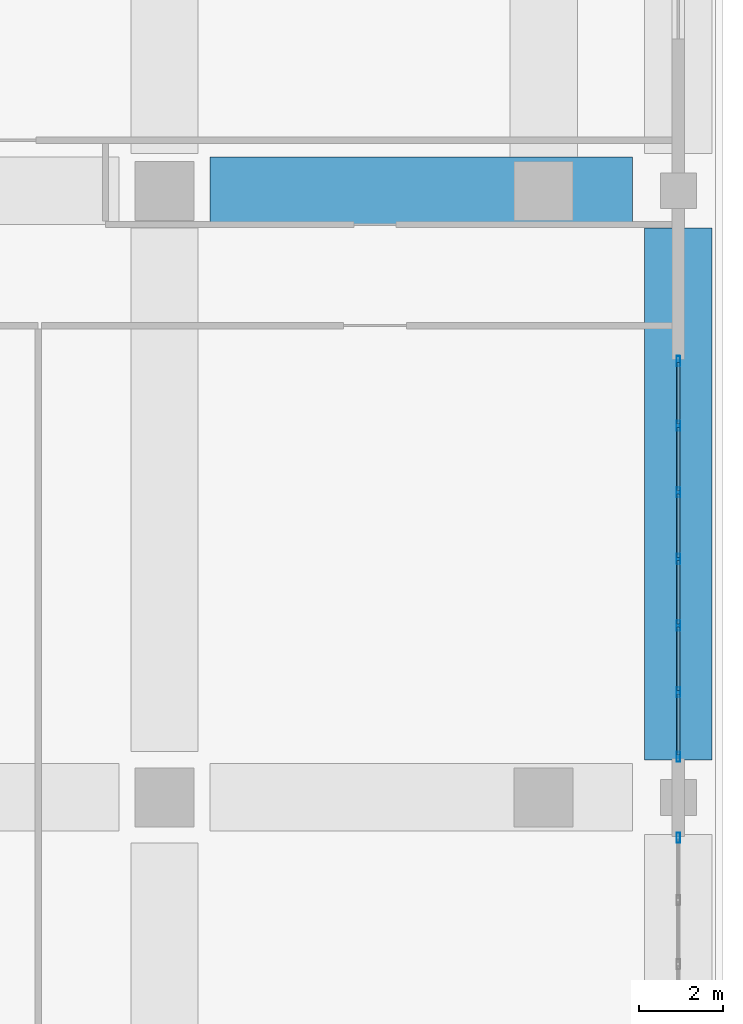
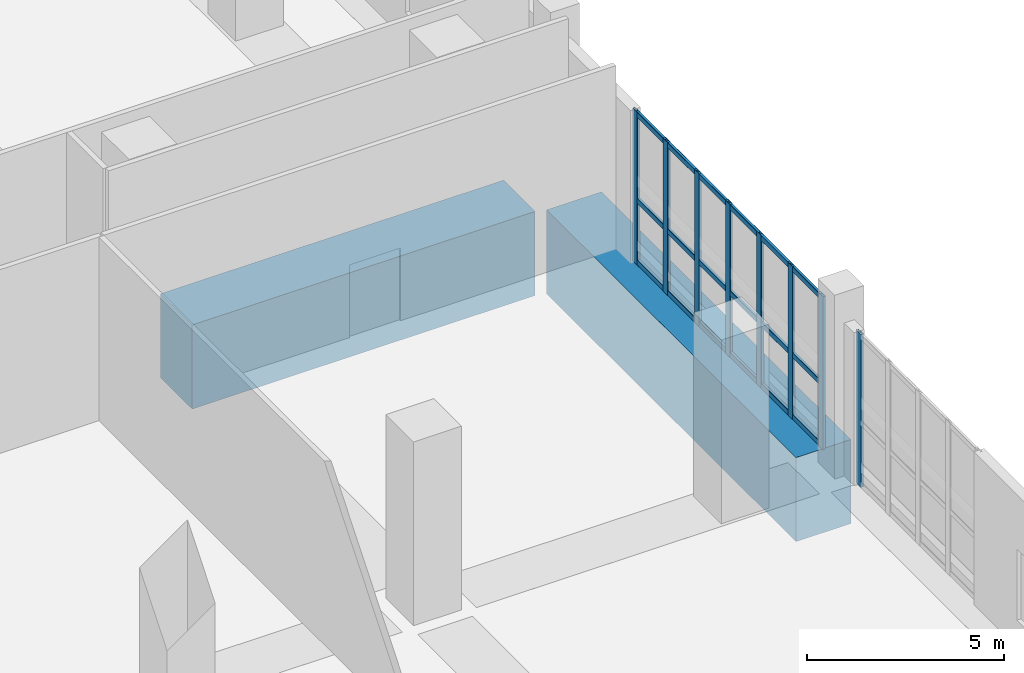
# One storey, part 14 of 25: 26 members, 2 beams, 2 elements without a shape of their own.
"""IFC4 building model written with IfcOpenShell, lengths in metres."""

from ifc_helpers import new_model, si_unit, direction, frame, origin, origin_2d, place, context, subcontext, project, spatial, rectangle, hollow_rectangle, extrude, material, layer, layer_set, material_profile, profile_set, type_object, element, aggregate, save


model = new_model("IFC4")

# Units and contexts
model_context = context("Model", 3, precision=1e-05, world=origin(), true_north=direction((0.0, 1.0)))
body_context = subcontext(model_context, "Body", "Model", "MODEL_VIEW")
ifc_project = project(units=[si_unit("LENGTHUNIT", "METRE"), si_unit("AREAUNIT", "SQUARE_METRE"), si_unit("VOLUMEUNIT", "CUBIC_METRE"), si_unit("PLANEANGLEUNIT", "RADIAN"), si_unit("MASSUNIT", "GRAM", prefix="KILO")], contexts=[model_context])

# Site, building, storey
site_placement = place(None, origin())
site = spatial("IfcSite", under=ifc_project, at=site_placement, CompositionType="ELEMENT")
building_placement = place(site_placement, origin())
building = spatial("IfcBuilding", under=site, at=building_placement, Name="Kaelvorn Grand Hotel", CompositionType="ELEMENT")
storey_placement = place(building_placement, frame((0.0, 0.0, 8.0)))
storey = spatial("IfcBuildingStorey", under=building, at=storey_placement, Name="L01", CompositionType="ELEMENT", Elevation=8.0)

# Beams
ifc_material_1 = material(Name="Concrete C80/95", Category="concrete")
ifc_material_profile_1 = material_profile(ifc_material_1, rectangle(XDim=1.60009765625, YDim=2.60009765625, at=origin_2d()), Name="RC TG 1600x2600")
ifc_profile_set_1 = profile_set([ifc_material_profile_1], Name="Concrete C80/95")
beam_type = type_object("IfcBeamType", Name="BM-TG-1600x2600-C80", PredefinedType="USERDEFINED", material=ifc_profile_set_1)
beam_1_placement = place(storey_placement, frame((76.0849609375, 29.39990234375, -1.300048828125), z_axis=(1.0, 0.0, 0.0), x_axis=(0.0, 1.0, 0.0)))
element("IfcBeam", 1, at=beam_1_placement, inside=storey, type_object=beam_type, Name="L01 Pilotis Transfer Girder TGX-C29 07", ObjectType="TRANSFER GIRDER", PredefinedType="USERDEFINED", context=body_context, shape_type="SweptSolid", body=[
    extrude(rectangle(XDim=1.60009765625, YDim=2.60009765625, at=origin_2d()), origin(), (0.0, 0.0, 1.0), 10.030029296875),
])
beam_2_placement = place(storey_placement, frame((87.199951171875, 15.885009765625, -1.300048828125), z_axis=(0.0, 1.0, 0.0), x_axis=(-1.0, 0.0, 0.0)))
element("IfcBeam", 2, at=beam_2_placement, inside=storey, type_object=beam_type, Name="L01 Pilotis Transfer Girder TGY-E87 02", ObjectType="TRANSFER GIRDER", PredefinedType="USERDEFINED", context=body_context, shape_type="SweptSolid", body=[
    extrude(rectangle(XDim=1.60009765625, YDim=2.60009765625, at=origin_2d()), origin(), (0.0, 0.0, 1.0), 12.6298828125),
])

# Curtain wall, member
ifc_material_2 = material(Name="Anodised Aluminium", Category="aluminium")
ifc_layer = layer(ifc_material_2, 0.239990234375)
ifc_layer_set = layer_set([ifc_layer], Name="Anodised Aluminium")
curtain_wall_type = type_object("IfcCurtainWallType", Name="CW-SYS1", PredefinedType="NOTDEFINED", material=ifc_layer_set)
curtain_wall_1_placement = place(storey_placement, origin())
curtain_wall_1 = element("IfcCurtainWall", 3, at=curtain_wall_1_placement, inside=storey, type_object=curtain_wall_type, Name="L01 Unitised Curtain Wall CW1 (CW-L01-E-01)", PredefinedType="NOTDEFINED")
ifc_material_profile_2 = material_profile(ifc_material_2, hollow_rectangle(XDim=0.080078125, YDim=0.239990234375, WallThickness=0.0048828125, InnerFilletRadius=0.0048828125, OuterFilletRadius=0.010009765625, at=origin_2d()), Name="ALU MULL 80x240")
ifc_profile_set_2 = profile_set([ifc_material_profile_2], Name="Anodised Aluminium")
member_type_1 = type_object("IfcMemberType", Name="CW-SYS1-MULL", PredefinedType="MULLION", material=ifc_profile_set_2)
member_1_placement = place(storey_placement, frame((87.199951171875, 14.0400390625, 0.0), z_axis=(0.0, 0.0, 1.0), x_axis=(-1.0, 0.0, 0.0)))
member_1 = element("IfcMember", 4, at=member_1_placement, type_object=member_type_1, Name="CW1 mullion 5", PredefinedType="MULLION", context=body_context, shape_type="SweptSolid", body=[
    extrude(hollow_rectangle(XDim=0.080078125, YDim=0.239990234375, WallThickness=0.0048828125, InnerFilletRadius=0.0048828125, OuterFilletRadius=0.010009765625, at=origin_2d()), origin(), (0.0, 0.0, 1.0), 4.72998046875),
])
aggregate(curtain_wall_1, [member_1])

# Curtain wall, members
curtain_wall_2_placement = place(storey_placement, origin())
curtain_wall_2 = element("IfcCurtainWall", 5, at=curtain_wall_2_placement, inside=storey, type_object=curtain_wall_type, Name="L01 Unitised Curtain Wall CW1 (CW-L01-E-02)", PredefinedType="NOTDEFINED")
member_2_placement = place(storey_placement, frame((87.199951171875, 15.9599609375, 0.0), z_axis=(0.0, 0.0, 1.0), x_axis=(-1.0, 0.0, 0.0)))
member_2 = element("IfcMember", 6, at=member_2_placement, type_object=member_type_1, Name="CW1 mullion 1", PredefinedType="MULLION", context=body_context, shape_type="SweptSolid", body=[
    extrude(hollow_rectangle(XDim=0.080078125, YDim=0.239990234375, WallThickness=0.0048828125, InnerFilletRadius=0.0048828125, OuterFilletRadius=0.010009765625, at=origin_2d()), origin(), (0.0, 0.0, 1.0), 4.72998046875),
])
member_3_placement = place(storey_placement, frame((87.199951171875, 17.5, 0.0), z_axis=(0.0, 0.0, 1.0), x_axis=(-1.0, 0.0, 0.0)))
member_3 = element("IfcMember", 7, at=member_3_placement, type_object=member_type_1, Name="CW1 mullion 2", PredefinedType="MULLION", context=body_context, shape_type="SweptSolid", body=[
    extrude(hollow_rectangle(XDim=0.080078125, YDim=0.239990234375, WallThickness=0.0048828125, InnerFilletRadius=0.0048828125, OuterFilletRadius=0.010009765625, at=origin_2d()), origin(), (0.0, 0.0, 1.0), 4.72998046875),
])
member_4_placement = place(storey_placement, frame((87.199951171875, 19.080078125, 0.0), z_axis=(0.0, 0.0, 1.0), x_axis=(-1.0, 0.0, 0.0)))
member_4 = element("IfcMember", 8, at=member_4_placement, type_object=member_type_1, Name="CW1 mullion 3", PredefinedType="MULLION", context=body_context, shape_type="SweptSolid", body=[
    extrude(hollow_rectangle(XDim=0.080078125, YDim=0.239990234375, WallThickness=0.0048828125, InnerFilletRadius=0.0048828125, OuterFilletRadius=0.010009765625, at=origin_2d()), origin(), (0.0, 0.0, 1.0), 4.72998046875),
])
member_5_placement = place(storey_placement, frame((87.199951171875, 20.659912109375, 0.0), z_axis=(0.0, 0.0, 1.0), x_axis=(-1.0, 0.0, 0.0)))
member_5 = element("IfcMember", 9, at=member_5_placement, type_object=member_type_1, Name="CW1 mullion 4", PredefinedType="MULLION", context=body_context, shape_type="SweptSolid", body=[
    extrude(hollow_rectangle(XDim=0.080078125, YDim=0.239990234375, WallThickness=0.0048828125, InnerFilletRadius=0.0048828125, OuterFilletRadius=0.010009765625, at=origin_2d()), origin(), (0.0, 0.0, 1.0), 4.72998046875),
])
member_6_placement = place(storey_placement, frame((87.199951171875, 22.239990234375, 0.0), z_axis=(0.0, 0.0, 1.0), x_axis=(-1.0, 0.0, 0.0)))
member_6 = element("IfcMember", 10, at=member_6_placement, type_object=member_type_1, Name="CW1 mullion 5", PredefinedType="MULLION", context=body_context, shape_type="SweptSolid", body=[
    extrude(hollow_rectangle(XDim=0.080078125, YDim=0.239990234375, WallThickness=0.0048828125, InnerFilletRadius=0.0048828125, OuterFilletRadius=0.010009765625, at=origin_2d()), origin(), (0.0, 0.0, 1.0), 4.72998046875),
])
member_7_placement = place(storey_placement, frame((87.199951171875, 23.820068359375, 0.0), z_axis=(0.0, 0.0, 1.0), x_axis=(-1.0, 0.0, 0.0)))
member_7 = element("IfcMember", 11, at=member_7_placement, type_object=member_type_1, Name="CW1 mullion 6", PredefinedType="MULLION", context=body_context, shape_type="SweptSolid", body=[
    extrude(hollow_rectangle(XDim=0.080078125, YDim=0.239990234375, WallThickness=0.0048828125, InnerFilletRadius=0.0048828125, OuterFilletRadius=0.010009765625, at=origin_2d()), origin(), (0.0, 0.0, 1.0), 4.72998046875),
])
member_8_placement = place(storey_placement, frame((87.199951171875, 25.360107421875, 0.0), z_axis=(0.0, 0.0, 1.0), x_axis=(-1.0, 0.0, 0.0)))
member_8 = element("IfcMember", 12, at=member_8_placement, type_object=member_type_1, Name="CW1 mullion 7", PredefinedType="MULLION", context=body_context, shape_type="SweptSolid", body=[
    extrude(hollow_rectangle(XDim=0.080078125, YDim=0.239990234375, WallThickness=0.0048828125, InnerFilletRadius=0.0048828125, OuterFilletRadius=0.010009765625, at=origin_2d()), origin(), (0.0, 0.0, 1.0), 4.72998046875),
])
ifc_material_profile_3 = material_profile(ifc_material_2, hollow_rectangle(XDim=0.080078125, YDim=0.1650390625, WallThickness=0.00439453125, InnerFilletRadius=0.00439453125, OuterFilletRadius=0.009033203125, at=origin_2d()), Name="ALU TRAN 80x165")
ifc_profile_set_3 = profile_set([ifc_material_profile_3], Name="Anodised Aluminium")
member_type_2 = type_object("IfcMemberType", Name="CW-SYS1-TRAN", PredefinedType="NOTDEFINED", material=ifc_profile_set_3)
member_9_placement = place(storey_placement, frame((87.199951171875, 16.0, 0.08251953125), z_axis=(0.0, 1.0, 0.0), x_axis=(-1.0, 0.0, 0.0)))
member_9 = element("IfcMember", 13, at=member_9_placement, type_object=member_type_2, Name="CW1 transom 1.1", ObjectType="TRANSOM", PredefinedType="USERDEFINED", context=body_context, shape_type="SweptSolid", body=[
    extrude(hollow_rectangle(XDim=0.080078125, YDim=0.1650390625, WallThickness=0.00439453125, InnerFilletRadius=0.00439453125, OuterFilletRadius=0.009033203125, at=origin_2d()), origin(), (0.0, 0.0, 1.0), 1.4599609375),
])
member_10_placement = place(storey_placement, frame((87.199951171875, 16.0, 1.986572265625), z_axis=(0.0, 1.0, 0.0), x_axis=(-1.0, 0.0, 0.0)))
member_10 = element("IfcMember", 14, at=member_10_placement, type_object=member_type_2, Name="CW1 transom 1.2", ObjectType="TRANSOM", PredefinedType="USERDEFINED", context=body_context, shape_type="SweptSolid", body=[
    extrude(hollow_rectangle(XDim=0.080078125, YDim=0.1650390625, WallThickness=0.00439453125, InnerFilletRadius=0.00439453125, OuterFilletRadius=0.009033203125, at=origin_2d()), origin(), (0.0, 0.0, 1.0), 1.4599609375),
])
member_11_placement = place(storey_placement, frame((87.199951171875, 16.0, 4.6474609375), z_axis=(0.0, 1.0, 0.0), x_axis=(-1.0, 0.0, 0.0)))
member_11 = element("IfcMember", 15, at=member_11_placement, type_object=member_type_2, Name="CW1 transom 1.3", ObjectType="TRANSOM", PredefinedType="USERDEFINED", context=body_context, shape_type="SweptSolid", body=[
    extrude(hollow_rectangle(XDim=0.080078125, YDim=0.1650390625, WallThickness=0.00439453125, InnerFilletRadius=0.00439453125, OuterFilletRadius=0.009033203125, at=origin_2d()), origin(), (0.0, 0.0, 1.0), 1.4599609375),
])
member_12_placement = place(storey_placement, frame((87.199951171875, 17.5400390625, 0.08251953125), z_axis=(0.0, 1.0, 0.0), x_axis=(-1.0, 0.0, 0.0)))
member_12 = element("IfcMember", 16, at=member_12_placement, type_object=member_type_2, Name="CW1 transom 2.1", ObjectType="TRANSOM", PredefinedType="USERDEFINED", context=body_context, shape_type="SweptSolid", body=[
    extrude(hollow_rectangle(XDim=0.080078125, YDim=0.1650390625, WallThickness=0.00439453125, InnerFilletRadius=0.00439453125, OuterFilletRadius=0.009033203125, at=origin_2d()), origin(), (0.0, 0.0, 1.0), 1.5),
])
member_13_placement = place(storey_placement, frame((87.199951171875, 17.5400390625, 1.986572265625), z_axis=(0.0, 1.0, 0.0), x_axis=(-1.0, 0.0, 0.0)))
member_13 = element("IfcMember", 17, at=member_13_placement, type_object=member_type_2, Name="CW1 transom 2.2", ObjectType="TRANSOM", PredefinedType="USERDEFINED", context=body_context, shape_type="SweptSolid", body=[
    extrude(hollow_rectangle(XDim=0.080078125, YDim=0.1650390625, WallThickness=0.00439453125, InnerFilletRadius=0.00439453125, OuterFilletRadius=0.009033203125, at=origin_2d()), origin(), (0.0, 0.0, 1.0), 1.5),
])
member_14_placement = place(storey_placement, frame((87.199951171875, 17.5400390625, 4.6474609375), z_axis=(0.0, 1.0, 0.0), x_axis=(-1.0, 0.0, 0.0)))
member_14 = element("IfcMember", 18, at=member_14_placement, type_object=member_type_2, Name="CW1 transom 2.3", ObjectType="TRANSOM", PredefinedType="USERDEFINED", context=body_context, shape_type="SweptSolid", body=[
    extrude(hollow_rectangle(XDim=0.080078125, YDim=0.1650390625, WallThickness=0.00439453125, InnerFilletRadius=0.00439453125, OuterFilletRadius=0.009033203125, at=origin_2d()), origin(), (0.0, 0.0, 1.0), 1.5),
])
member_15_placement = place(storey_placement, frame((87.199951171875, 19.1201171875, 0.08251953125), z_axis=(0.0, 1.0, 0.0), x_axis=(-1.0, 0.0, 0.0)))
member_15 = element("IfcMember", 19, at=member_15_placement, type_object=member_type_2, Name="CW1 transom 3.1", ObjectType="TRANSOM", PredefinedType="USERDEFINED", context=body_context, shape_type="SweptSolid", body=[
    extrude(hollow_rectangle(XDim=0.080078125, YDim=0.1650390625, WallThickness=0.00439453125, InnerFilletRadius=0.00439453125, OuterFilletRadius=0.009033203125, at=origin_2d()), origin(), (0.0, 0.0, 1.0), 1.5),
])
member_16_placement = place(storey_placement, frame((87.199951171875, 19.1201171875, 1.986572265625), z_axis=(0.0, 1.0, 0.0), x_axis=(-1.0, 0.0, 0.0)))
member_16 = element("IfcMember", 20, at=member_16_placement, type_object=member_type_2, Name="CW1 transom 3.2", ObjectType="TRANSOM", PredefinedType="USERDEFINED", context=body_context, shape_type="SweptSolid", body=[
    extrude(hollow_rectangle(XDim=0.080078125, YDim=0.1650390625, WallThickness=0.00439453125, InnerFilletRadius=0.00439453125, OuterFilletRadius=0.009033203125, at=origin_2d()), origin(), (0.0, 0.0, 1.0), 1.5),
])
member_17_placement = place(storey_placement, frame((87.199951171875, 19.1201171875, 4.6474609375), z_axis=(0.0, 1.0, 0.0), x_axis=(-1.0, 0.0, 0.0)))
member_17 = element("IfcMember", 21, at=member_17_placement, type_object=member_type_2, Name="CW1 transom 3.3", ObjectType="TRANSOM", PredefinedType="USERDEFINED", context=body_context, shape_type="SweptSolid", body=[
    extrude(hollow_rectangle(XDim=0.080078125, YDim=0.1650390625, WallThickness=0.00439453125, InnerFilletRadius=0.00439453125, OuterFilletRadius=0.009033203125, at=origin_2d()), origin(), (0.0, 0.0, 1.0), 1.5),
])
member_18_placement = place(storey_placement, frame((87.199951171875, 20.699951171875, 0.08251953125), z_axis=(0.0, 1.0, 0.0), x_axis=(-1.0, 0.0, 0.0)))
member_18 = element("IfcMember", 22, at=member_18_placement, type_object=member_type_2, Name="CW1 transom 4.1", ObjectType="TRANSOM", PredefinedType="USERDEFINED", context=body_context, shape_type="SweptSolid", body=[
    extrude(hollow_rectangle(XDim=0.080078125, YDim=0.1650390625, WallThickness=0.00439453125, InnerFilletRadius=0.00439453125, OuterFilletRadius=0.009033203125, at=origin_2d()), origin(), (0.0, 0.0, 1.0), 1.5),
])
member_19_placement = place(storey_placement, frame((87.199951171875, 20.699951171875, 1.986572265625), z_axis=(0.0, 1.0, 0.0), x_axis=(-1.0, 0.0, 0.0)))
member_19 = element("IfcMember", 23, at=member_19_placement, type_object=member_type_2, Name="CW1 transom 4.2", ObjectType="TRANSOM", PredefinedType="USERDEFINED", context=body_context, shape_type="SweptSolid", body=[
    extrude(hollow_rectangle(XDim=0.080078125, YDim=0.1650390625, WallThickness=0.00439453125, InnerFilletRadius=0.00439453125, OuterFilletRadius=0.009033203125, at=origin_2d()), origin(), (0.0, 0.0, 1.0), 1.5),
])
member_20_placement = place(storey_placement, frame((87.199951171875, 20.699951171875, 4.6474609375), z_axis=(0.0, 1.0, 0.0), x_axis=(-1.0, 0.0, 0.0)))
member_20 = element("IfcMember", 24, at=member_20_placement, type_object=member_type_2, Name="CW1 transom 4.3", ObjectType="TRANSOM", PredefinedType="USERDEFINED", context=body_context, shape_type="SweptSolid", body=[
    extrude(hollow_rectangle(XDim=0.080078125, YDim=0.1650390625, WallThickness=0.00439453125, InnerFilletRadius=0.00439453125, OuterFilletRadius=0.009033203125, at=origin_2d()), origin(), (0.0, 0.0, 1.0), 1.5),
])
member_21_placement = place(storey_placement, frame((87.199951171875, 22.280029296875, 0.08251953125), z_axis=(0.0, 1.0, 0.0), x_axis=(-1.0, 0.0, 0.0)))
member_21 = element("IfcMember", 25, at=member_21_placement, type_object=member_type_2, Name="CW1 transom 5.1", ObjectType="TRANSOM", PredefinedType="USERDEFINED", context=body_context, shape_type="SweptSolid", body=[
    extrude(hollow_rectangle(XDim=0.080078125, YDim=0.1650390625, WallThickness=0.00439453125, InnerFilletRadius=0.00439453125, OuterFilletRadius=0.009033203125, at=origin_2d()), origin(), (0.0, 0.0, 1.0), 1.5),
])
member_22_placement = place(storey_placement, frame((87.199951171875, 22.280029296875, 1.986572265625), z_axis=(0.0, 1.0, 0.0), x_axis=(-1.0, 0.0, 0.0)))
member_22 = element("IfcMember", 26, at=member_22_placement, type_object=member_type_2, Name="CW1 transom 5.2", ObjectType="TRANSOM", PredefinedType="USERDEFINED", context=body_context, shape_type="SweptSolid", body=[
    extrude(hollow_rectangle(XDim=0.080078125, YDim=0.1650390625, WallThickness=0.00439453125, InnerFilletRadius=0.00439453125, OuterFilletRadius=0.009033203125, at=origin_2d()), origin(), (0.0, 0.0, 1.0), 1.5),
])
member_23_placement = place(storey_placement, frame((87.199951171875, 22.280029296875, 4.6474609375), z_axis=(0.0, 1.0, 0.0), x_axis=(-1.0, 0.0, 0.0)))
member_23 = element("IfcMember", 27, at=member_23_placement, type_object=member_type_2, Name="CW1 transom 5.3", ObjectType="TRANSOM", PredefinedType="USERDEFINED", context=body_context, shape_type="SweptSolid", body=[
    extrude(hollow_rectangle(XDim=0.080078125, YDim=0.1650390625, WallThickness=0.00439453125, InnerFilletRadius=0.00439453125, OuterFilletRadius=0.009033203125, at=origin_2d()), origin(), (0.0, 0.0, 1.0), 1.5),
])
member_24_placement = place(storey_placement, frame((87.199951171875, 23.860107421875, 0.08251953125), z_axis=(0.0, 1.0, 0.0), x_axis=(-1.0, 0.0, 0.0)))
member_24 = element("IfcMember", 28, at=member_24_placement, type_object=member_type_2, Name="CW1 transom 6.1", ObjectType="TRANSOM", PredefinedType="USERDEFINED", context=body_context, shape_type="SweptSolid", body=[
    extrude(hollow_rectangle(XDim=0.080078125, YDim=0.1650390625, WallThickness=0.00439453125, InnerFilletRadius=0.00439453125, OuterFilletRadius=0.009033203125, at=origin_2d()), origin(), (0.0, 0.0, 1.0), 1.4599609375),
])
member_25_placement = place(storey_placement, frame((87.199951171875, 23.860107421875, 1.986572265625), z_axis=(0.0, 1.0, 0.0), x_axis=(-1.0, 0.0, 0.0)))
member_25 = element("IfcMember", 29, at=member_25_placement, type_object=member_type_2, Name="CW1 transom 6.2", ObjectType="TRANSOM", PredefinedType="USERDEFINED", context=body_context, shape_type="SweptSolid", body=[
    extrude(hollow_rectangle(XDim=0.080078125, YDim=0.1650390625, WallThickness=0.00439453125, InnerFilletRadius=0.00439453125, OuterFilletRadius=0.009033203125, at=origin_2d()), origin(), (0.0, 0.0, 1.0), 1.4599609375),
])
member_26_placement = place(storey_placement, frame((87.199951171875, 23.860107421875, 4.6474609375), z_axis=(0.0, 1.0, 0.0), x_axis=(-1.0, 0.0, 0.0)))
member_26 = element("IfcMember", 30, at=member_26_placement, type_object=member_type_2, Name="CW1 transom 6.3", ObjectType="TRANSOM", PredefinedType="USERDEFINED", context=body_context, shape_type="SweptSolid", body=[
    extrude(hollow_rectangle(XDim=0.080078125, YDim=0.1650390625, WallThickness=0.00439453125, InnerFilletRadius=0.00439453125, OuterFilletRadius=0.009033203125, at=origin_2d()), origin(), (0.0, 0.0, 1.0), 1.4599609375),
])
aggregate(curtain_wall_2, [member_2, member_3, member_4, member_5, member_6, member_7, member_8, member_9, member_10, member_11, member_12, member_13, member_14, member_15, member_16, member_17, member_18, member_19, member_20, member_21, member_22, member_23, member_24, member_25, member_26])

save(model, "model.ifc")
